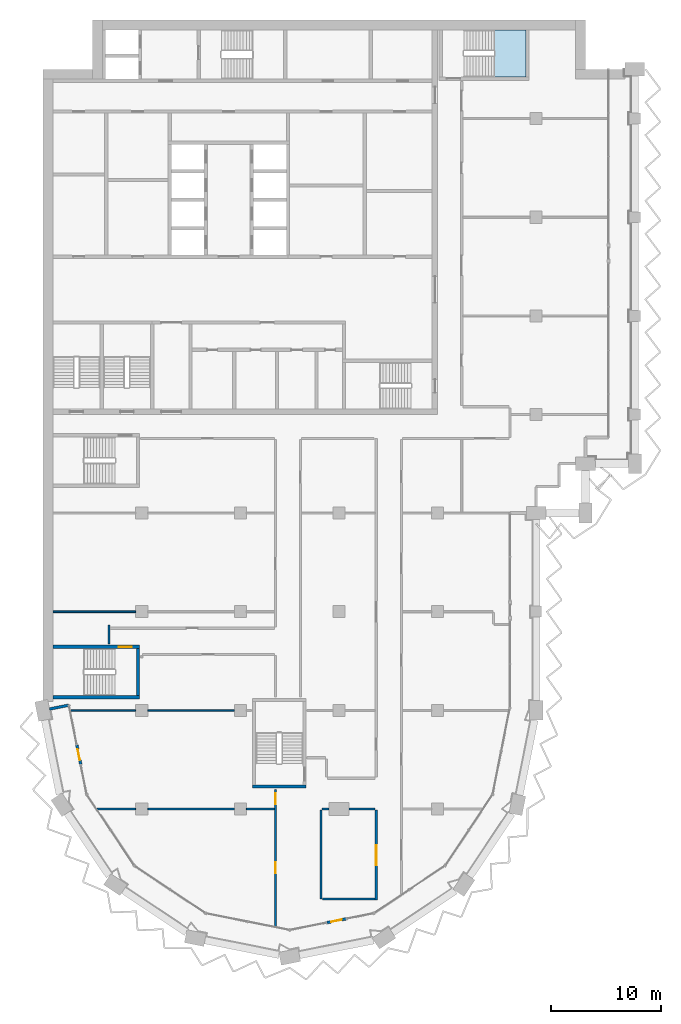
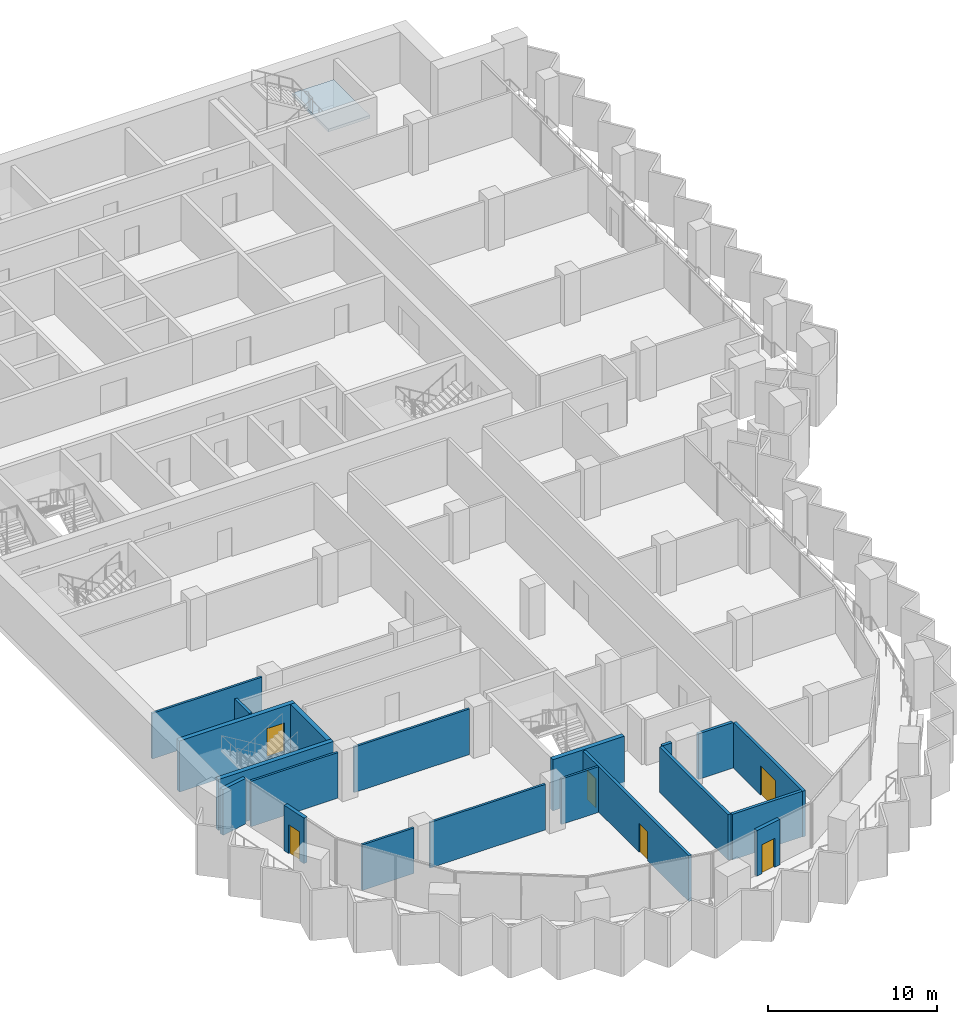
# One storey, part 7 of 17: 20 walls, 6 doors, 1 slab, 6 openings, 1 element without a shape of its own.
"""IFC4 building model written with IfcOpenShell, lengths in metres."""

from ifc_helpers import new_model, si_unit, direction, frame, frame_2d, origin, place, context, subcontext, project, spatial, polyline, rectangle, outline, extrude, material, layer, layer_set, type_object, element, fill, aggregate, save


model = new_model("IFC4")

# Units and contexts
model_context = context("Model", 3, precision=1e-05, world=origin(), true_north=direction((0.0, 1.0)))
body_context = subcontext(model_context, "Body", "Model", "MODEL_VIEW")
ifc_project = project(units=[si_unit("LENGTHUNIT", "METRE"), si_unit("AREAUNIT", "SQUARE_METRE"), si_unit("VOLUMEUNIT", "CUBIC_METRE"), si_unit("PLANEANGLEUNIT", "RADIAN"), si_unit("MASSUNIT", "GRAM", prefix="KILO")], contexts=[model_context])

# Site, building, storey
site_placement = place(None, origin())
site = spatial("IfcSite", under=ifc_project, at=site_placement, CompositionType="ELEMENT")
building_placement = place(site_placement, origin())
building = spatial("IfcBuilding", under=site, at=building_placement, Name="Hunhe Ridgeline Campus", CompositionType="ELEMENT")
storey_placement = place(building_placement, frame((0.0, 0.0, 208.699951171875)))
storey = spatial("IfcBuildingStorey", under=building, at=storey_placement, Name="L53", CompositionType="ELEMENT", Elevation=208.699951171875)

# Stair, slab
ifc_material_1 = material(Name="Concrete C40", Category="concrete")
stair_type = type_object("IfcStairType", Name="Reinforced concrete dog-leg stair 1950 Concrete C40", PredefinedType="HALF_TURN_STAIR", material=ifc_material_1)
stair_placement = place(storey_placement, origin())
stair = element("IfcStair", 1, at=stair_placement, inside=storey, type_object=stair_type, Name="L53 E1", PredefinedType="HALF_TURN_STAIR")
ifc_layer_1 = layer(ifc_material_1, 0.199951171875)
ifc_layer_set_1 = layer_set([ifc_layer_1], Name="Reinforced concrete stair landing 200 Concrete C40")
slab_type = type_object("IfcSlabType", Name="Reinforced concrete stair landing 200 Concrete C40", PredefinedType="LANDING", material=ifc_layer_set_1)
slab_placement = place(storey_placement, frame((0.0, 0.0, 1.650146484375)))
slab = element("IfcSlab", 2, at=slab_placement, type_object=slab_type, Name="ST5 landing 1", PredefinedType="LANDING", context=body_context, shape_type="SweptSolid", body=[
    extrude(outline(polyline([(41.199951171875, 93.800048828125), (44.050048828125, 93.800048828125), (44.050048828125, 98.10009765625), (41.199951171875, 98.10009765625), (41.199951171875, 93.800048828125)])), origin(), (0.0, 0.0, 1.0), 0.199951171875),
])
aggregate(stair, [slab])

# Walls
ifc_material_2 = material(Name="Concrete C30", Category="concrete")
ifc_layer_2 = layer(ifc_material_2, 0.25)
ifc_layer_set_2 = layer_set([ifc_layer_2], Name="Corner return wall 250 Concrete C30")
wall_type_1 = type_object("IfcWallType", Name="Corner return wall 250 Concrete C30", PredefinedType="SOLIDWALL", material=ifc_layer_set_2)
wall_1_placement = place(storey_placement, frame((0.58837890625, 36.117919921875, 0.0), z_axis=(0.0, 0.0, 1.0), x_axis=(0.980840518545, 0.194812415363, 0.0)))
element("IfcWall", 3, at=wall_1_placement, inside=storey, type_object=wall_type_1, Name="Corner return wall 1", PredefinedType="SOLIDWALL", context=body_context, shape_type="SweptSolid", body=[
    extrude(rectangle(XDim=1.80078125, YDim=0.25, at=frame_2d((0.900390625, 0.0))), origin(), (0.0, 0.0, 1.0), 3.300048828125),
])
ifc_material_3 = material(Name="Gypsum board partition")
ifc_layer_3 = layer(ifc_material_3, 0.199951171875)
ifc_layer_set_3 = layer_set([ifc_layer_3], Name="Corridor partition 200 gypsum board on steel studs")
wall_type_2 = type_object("IfcWallType", Name="Corridor partition 200 gypsum board on steel studs", PredefinedType="PARTITIONING", material=ifc_layer_set_3)
wall_2_placement = place(storey_placement, frame((25.492919921875, 18.7900390625, 0.0), z_axis=(0.0, 0.0, 1.0), x_axis=(1.0, 0.0, 0.0)))
element("IfcWall", 4, at=wall_2_placement, inside=storey, type_object=wall_type_2, Name="F-L53-wall-001", PredefinedType="PARTITIONING", context=body_context, shape_type="SweptSolid", body=[
    extrude(rectangle(XDim=4.80712890625, YDim=0.199951171875, at=frame_2d((2.403564453125, 0.0))), origin(), (0.0, 0.0, 1.0), 3.300048828125),
])
wall_3_placement = place(storey_placement, frame((26.10009765625, 27.0, 0.0), z_axis=(0.0, 0.0, 1.0), x_axis=(-1.0, 0.0, 0.0)))
element("IfcWall", 5, at=wall_3_placement, inside=storey, type_object=wall_type_2, Name="F-L53-wall-002", PredefinedType="PARTITIONING", context=body_context, shape_type="SweptSolid", body=[
    extrude(rectangle(XDim=0.650146484375, YDim=0.199951171875, at=frame_2d((0.3251953125, 0.0))), origin(), (0.0, 0.0, 1.0), 3.300048828125),
])
wall_4_placement = place(storey_placement, frame((30.300048828125, 27.0, 0.0), z_axis=(0.0, 0.0, 1.0), x_axis=(-1.0, 0.0, 0.0)))
element("IfcWall", 6, at=wall_4_placement, inside=storey, type_object=wall_type_2, Name="F-L53-wall-003", PredefinedType="PARTITIONING", context=body_context, shape_type="SweptSolid", body=[
    extrude(rectangle(XDim=2.400146484375, YDim=0.199951171875, at=frame_2d((1.2001953125, 0.0))), origin(), (0.0, 0.0, 1.0), 3.300048828125),
])
wall_5_placement = place(storey_placement, frame((6.0, 42.053955078125, 0.0), z_axis=(0.0, 0.0, 1.0), x_axis=(0.0, 1.0, 0.0)))
element("IfcWall", 7, at=wall_5_placement, inside=storey, type_object=wall_type_2, Name="F-L53-wall-045", PredefinedType="PARTITIONING", context=body_context, shape_type="SweptSolid", body=[
    extrude(rectangle(XDim=1.74609375, YDim=0.199951171875, at=frame_2d((0.873046875, 0.0))), origin(), (0.0, 0.0, 1.0), 3.300048828125),
])

# Wall, openings, doors
wall_6_placement = place(storey_placement, frame((21.199951171875, 16.26171875, 0.0), z_axis=(0.0, 0.0, 1.0), x_axis=(0.0, 1.0, 0.0)))
wall_6 = element("IfcWall", 8, at=wall_6_placement, inside=storey, type_object=wall_type_2, Name="F-L53-wall-047", PredefinedType="PARTITIONING", context=body_context, shape_type="SweptSolid", body=[
    extrude(rectangle(XDim=12.5341796875, YDim=0.199951171875, at=frame_2d((6.26708984375, 0.0))), origin(), (0.0, 0.0, 1.0), 3.300048828125),
])
opening_1_placement = place(wall_6_placement, frame((4.889892578125, 0.0, 0.0)))
opening_1 = element("IfcOpeningElement", 9, at=opening_1_placement, cuts=wall_6, Name="Opening RD1-001", PredefinedType="OPENING", context=body_context, shape_type="SweptSolid", body=[
    extrude(rectangle(XDim=1.0, YDim=2.10009765625, at=frame_2d((0.5, 1.050048828125))), frame((0.0, 0.10009765625, 0.0), z_axis=(0.0, -1.0, 0.0), x_axis=(1.0, 0.0, 0.0)), (0.0, 0.0, 1.0), 0.199951171875),
])
opening_2_placement = place(wall_6_placement, frame((11.156982421875, 0.0, 0.0)))
opening_2 = element("IfcOpeningElement", 10, at=opening_2_placement, cuts=wall_6, Name="Opening RD1-004", PredefinedType="OPENING", context=body_context, shape_type="SweptSolid", body=[
    extrude(rectangle(XDim=1.0, YDim=2.10009765625, at=frame_2d((0.5, 1.050048828125))), frame((0.0, 0.10009765625, 0.0), z_axis=(0.0, -1.0, 0.0), x_axis=(1.0, 0.0, 0.0)), (0.0, 0.0, 1.0), 0.199951171875),
])
ifc_material_4 = material(Name="Timber door leaf", Category="wood")
door_type_1 = type_object("IfcDoorType", Name="Single fire door 1000x2100 timber FD60", OperationType="NOTDEFINED", PredefinedType="DOOR", material=ifc_material_4)
door_1_placement = place(opening_1_placement, origin())
door_1 = element("IfcDoor", 11, at=door_1_placement, inside=storey, type_object=door_type_1, Name="F-L53-door-001", OperationType="SINGLE_SWING_RIGHT", OverallHeight=2.10009765625, OverallWidth=1.0, PredefinedType="DOOR", context=body_context, shape_type="SweptSolid", body=[
    extrude(rectangle(XDim=1.0, YDim=2.10009765625, at=frame_2d((0.5, 1.050048828125))), frame((0.0, 0.02490234375, 0.0), z_axis=(0.0, -1.0, 0.0), x_axis=(1.0, 0.0, 0.0)), (0.0, 0.0, 1.0), 0.050048828125),
])
fill(opening_1, door_1)
door_2_placement = place(opening_2_placement, origin())
door_2 = element("IfcDoor", 12, at=door_2_placement, inside=storey, type_object=door_type_1, Name="F-L53-door-004", OperationType="SINGLE_SWING_RIGHT", OverallHeight=2.10009765625, OverallWidth=1.0, PredefinedType="DOOR", context=body_context, shape_type="SweptSolid", body=[
    extrude(rectangle(XDim=1.0, YDim=2.10009765625, at=frame_2d((0.5, 1.050048828125))), frame((0.0, 0.02490234375, 0.0), z_axis=(0.0, -1.0, 0.0), x_axis=(1.0, 0.0, 0.0)), (0.0, 0.0, 1.0), 0.050048828125),
])
fill(opening_2, door_2)

# Wall
wall_7_placement = place(storey_placement, frame((25.35009765625, 26.89990234375, 0.0), z_axis=(0.0, 0.0, 1.0), x_axis=(0.0, -1.0, 0.0)))
element("IfcWall", 13, at=wall_7_placement, inside=storey, type_object=wall_type_2, Name="F-L53-wall-051", PredefinedType="PARTITIONING", context=body_context, shape_type="SweptSolid", body=[
    extrude(rectangle(XDim=8.10986328125, YDim=0.199951171875, at=frame_2d((4.054931640625, 0.0))), origin(), (0.0, 0.0, 1.0), 3.300048828125),
])

# Wall, opening, door
wall_8_placement = place(storey_placement, frame((30.39990234375, 18.670654296875, 0.0), z_axis=(0.0, 0.0, 1.0), x_axis=(0.0, 1.0, 0.0)))
wall_8 = element("IfcWall", 14, at=wall_8_placement, inside=storey, type_object=wall_type_2, Name="F-L53-wall-053", PredefinedType="PARTITIONING", context=body_context, shape_type="SweptSolid", body=[
    extrude(rectangle(XDim=8.229248046875, YDim=0.199951171875, at=frame_2d((4.11474609375, 0.0))), origin(), (0.0, 0.0, 1.0), 3.300048828125),
])
opening_3_placement = place(wall_8_placement, frame((3.214599609375, 0.0, 0.0)))
opening_3 = element("IfcOpeningElement", 15, at=opening_3_placement, cuts=wall_8, Name="Opening RD2-002", PredefinedType="OPENING", context=body_context, shape_type="SweptSolid", body=[
    extrude(rectangle(XDim=1.800048828125, YDim=2.10009765625, at=frame_2d((0.89990234375, 1.050048828125))), frame((0.0, 0.10009765625, 0.0), z_axis=(0.0, -1.0, 0.0), x_axis=(1.0, 0.0, 0.0)), (0.0, 0.0, 1.0), 0.199951171875),
])
door_type_2 = type_object("IfcDoorType", Name="Double fire door 1800x2100 timber FD60", OperationType="DOUBLE_DOOR_SINGLE_SWING", PredefinedType="DOOR", material=ifc_material_4)
door_3_placement = place(opening_3_placement, origin())
door_3 = element("IfcDoor", 16, at=door_3_placement, inside=storey, type_object=door_type_2, Name="F-L53-door-002", OperationType="DOUBLE_DOOR_SINGLE_SWING", OverallHeight=2.10009765625, OverallWidth=1.800048828125, PredefinedType="DOOR", context=body_context, shape_type="SweptSolid", body=[
    extrude(rectangle(XDim=1.800048828125, YDim=2.10009765625, at=frame_2d((0.89990234375, 1.050048828125))), frame((0.0, 0.02490234375, 0.0), z_axis=(0.0, -1.0, 0.0), x_axis=(1.0, 0.0, 0.0)), (0.0, 0.0, 1.0), 0.050048828125),
])
fill(opening_3, door_3)

ifc_layer_4 = layer(ifc_material_2, 0.25)
ifc_layer_set_4 = layer_set([ifc_layer_4], Name="Loggia door pier wall 250 Concrete C30")
wall_type_3 = type_object("IfcWallType", Name="Loggia door pier wall 250 Concrete C30", PredefinedType="SOLIDWALL", material=ifc_layer_set_4)
wall_9_placement = place(storey_placement, frame((3.076904296875, 32.8388671875, 0.0), z_axis=(0.0, 0.0, 1.0), x_axis=(0.195046569833, -0.980793982239, 0.0)))
wall_9 = element("IfcWall", 17, at=wall_9_placement, inside=storey, type_object=wall_type_3, Name="Loggia door pier 1", PredefinedType="SOLIDWALL", context=body_context, shape_type="SweptSolid", body=[
    extrude(rectangle(XDim=1.800048828125, YDim=0.25, at=frame_2d((0.89990234375, 0.0))), origin(), (0.0, 0.0, 1.0), 3.300048828125),
])
opening_4_placement = place(wall_9_placement, frame((0.39990234375, 0.0, 0.0)))
opening_4 = element("IfcOpeningElement", 18, at=opening_4_placement, cuts=wall_9, Name="Opening BD401", PredefinedType="OPENING", context=body_context, shape_type="SweptSolid", body=[
    extrude(rectangle(XDim=1.0, YDim=2.10009765625, at=frame_2d((0.5, 1.050048828125))), frame((0.0, 0.125, 0.0), z_axis=(0.0, -1.0, 0.0), x_axis=(1.0, 0.0, 0.0)), (0.0, 0.0, 1.0), 0.25),
])
ifc_material_5 = material(Name="Aluminium 6063", Category="aluminium")
door_type_3 = type_object("IfcDoorType", Name="Loggia glazed door 1000x2100", OperationType="NOTDEFINED", PredefinedType="DOOR", material=ifc_material_5)
door_4_placement = place(opening_4_placement, frame((1.0, 0.0, 0.0), z_axis=(0.0, 0.0, 1.0), x_axis=(-1.0, 0.0, 0.0)))
door_4 = element("IfcDoor", 19, at=door_4_placement, inside=storey, type_object=door_type_3, Name="Loggia door BD401", OperationType="SINGLE_SWING_RIGHT", OverallHeight=2.10009765625, OverallWidth=1.0, PredefinedType="DOOR", context=body_context, shape_type="SweptSolid", body=[
    extrude(rectangle(XDim=1.0, YDim=2.10009765625, at=frame_2d((0.5, 1.050048828125))), frame((0.0, 0.02490234375, 0.0), z_axis=(0.0, -1.0, 0.0), x_axis=(1.0, 0.0, 0.0)), (0.0, 0.0, 1.0), 0.050048828125),
])
fill(opening_4, door_4)

wall_10_placement = place(storey_placement, frame((25.8955078125, 16.62353515625, 0.0), z_axis=(0.0, 0.0, 1.0), x_axis=(0.980793982239, 0.195046569833, 0.0)))
wall_10 = element("IfcWall", 20, at=wall_10_placement, inside=storey, type_object=wall_type_3, Name="Loggia door pier 2", PredefinedType="SOLIDWALL", context=body_context, shape_type="SweptSolid", body=[
    extrude(rectangle(XDim=1.800048828125, YDim=0.25, at=frame_2d((0.89990234375, 0.0))), origin(), (0.0, 0.0, 1.0), 3.300048828125),
])
opening_5_placement = place(wall_10_placement, frame((0.39990234375, 0.0, 0.0)))
opening_5 = element("IfcOpeningElement", 21, at=opening_5_placement, cuts=wall_10, Name="Opening BD403", PredefinedType="OPENING", context=body_context, shape_type="SweptSolid", body=[
    extrude(rectangle(XDim=1.0, YDim=2.10009765625, at=frame_2d((0.5, 1.050048828125))), frame((0.0, 0.125, 0.0), z_axis=(0.0, -1.0, 0.0), x_axis=(1.0, 0.0, 0.0)), (0.0, 0.0, 1.0), 0.25),
])
door_5_placement = place(opening_5_placement, frame((1.0, 0.0, 0.0), z_axis=(0.0, 0.0, 1.0), x_axis=(-1.0, 0.0, 0.0)))
door_5 = element("IfcDoor", 22, at=door_5_placement, inside=storey, type_object=door_type_3, Name="Loggia door BD403", OperationType="SINGLE_SWING_RIGHT", OverallHeight=2.10009765625, OverallWidth=1.0, PredefinedType="DOOR", context=body_context, shape_type="SweptSolid", body=[
    extrude(rectangle(XDim=1.0, YDim=2.10009765625, at=frame_2d((0.5, 1.050048828125))), frame((0.0, 0.02490234375, 0.0), z_axis=(0.0, -1.0, 0.0), x_axis=(1.0, 0.0, 0.0)), (0.0, 0.0, 1.0), 0.050048828125),
])
fill(opening_5, door_5)

# Walls
ifc_layer_5 = layer(ifc_material_3, 0.14990234375)
ifc_layer_set_5 = layer_set([ifc_layer_5], Name="Room partition 150 gypsum board on steel studs")
wall_type_4 = type_object("IfcWallType", Name="Room partition 150 gypsum board on steel studs", PredefinedType="PARTITIONING", material=ifc_layer_set_5)
wall_11_placement = place(storey_placement, frame((4.925537109375, 27.0, 0.0), z_axis=(0.0, 0.0, 1.0), x_axis=(1.0, 0.0, 0.0)))
element("IfcWall", 23, at=wall_11_placement, inside=storey, type_object=wall_type_4, Name="F-L53-wall-004", PredefinedType="PARTITIONING", context=body_context, shape_type="SweptSolid", body=[
    extrude(rectangle(XDim=3.5244140625, YDim=0.14990234375, at=frame_2d((1.76220703125, 0.0))), origin(), (0.0, 0.0, 1.0), 3.300048828125),
])
wall_12_placement = place(storey_placement, frame((9.550048828125, 27.0, 0.0), z_axis=(0.0, 0.0, 1.0), x_axis=(1.0, 0.0, 0.0)))
element("IfcWall", 24, at=wall_12_placement, inside=storey, type_object=wall_type_4, Name="F-L53-wall-005", PredefinedType="PARTITIONING", context=body_context, shape_type="SweptSolid", body=[
    extrude(rectangle(XDim=7.89990234375, YDim=0.14990234375, at=frame_2d((3.949951171875, 0.0))), origin(), (0.0, 0.0, 1.0), 3.300048828125),
])
wall_13_placement = place(storey_placement, frame((18.550048828125, 27.0, 0.0), z_axis=(0.0, 0.0, 1.0), x_axis=(1.0, 0.0, 0.0)))
element("IfcWall", 25, at=wall_13_placement, inside=storey, type_object=wall_type_4, Name="F-L53-wall-006", PredefinedType="PARTITIONING", context=body_context, shape_type="SweptSolid", body=[
    extrude(rectangle(XDim=2.550048828125, YDim=0.14990234375, at=frame_2d((1.27490234375, 0.0))), origin(), (0.0, 0.0, 1.0), 3.300048828125),
])
wall_14_placement = place(storey_placement, frame((2.503173828125, 36.0, 0.0), z_axis=(0.0, 0.0, 1.0), x_axis=(1.0, 0.0, 0.0)))
element("IfcWall", 26, at=wall_14_placement, inside=storey, type_object=wall_type_4, Name="F-L53-wall-011", PredefinedType="PARTITIONING", context=body_context, shape_type="SweptSolid", body=[
    extrude(rectangle(XDim=5.94677734375, YDim=0.14990234375, at=frame_2d((2.973388671875, 0.0))), origin(), (0.0, 0.0, 1.0), 3.300048828125),
])
wall_15_placement = place(storey_placement, frame((9.550048828125, 36.0, 0.0), z_axis=(0.0, 0.0, 1.0), x_axis=(1.0, 0.0, 0.0)))
element("IfcWall", 27, at=wall_15_placement, inside=storey, type_object=wall_type_4, Name="F-L53-wall-012", PredefinedType="PARTITIONING", context=body_context, shape_type="SweptSolid", body=[
    extrude(rectangle(XDim=7.89990234375, YDim=0.14990234375, at=frame_2d((3.949951171875, 0.0))), origin(), (0.0, 0.0, 1.0), 3.300048828125),
])
wall_16_placement = place(storey_placement, frame((0.919921875, 45.0, 0.0), z_axis=(0.0, 0.0, 1.0), x_axis=(1.0, 0.0, 0.0)))
element("IfcWall", 28, at=wall_16_placement, inside=storey, type_object=wall_type_4, Name="F-L53-wall-021", PredefinedType="PARTITIONING", context=body_context, shape_type="SweptSolid", body=[
    extrude(rectangle(XDim=7.530029296875, YDim=0.14990234375, at=frame_2d((3.76513671875, 0.0))), origin(), (0.0, 0.0, 1.0), 3.300048828125),
])
ifc_material_6 = material(Name="Concrete C60", Category="concrete")
ifc_layer_6 = layer(ifc_material_6, 0.300048828125)
ifc_layer_set_6 = layer_set([ifc_layer_6], Name="Stair wall 300 reinforced concrete C60")
wall_type_5 = type_object("IfcWallType", Name="Stair wall 300 reinforced concrete C60", PredefinedType="SOLIDWALL", material=ifc_layer_set_6)
wall_17_placement = place(storey_placement, frame((19.10009765625, 29.050048828125, -0.39990234375), z_axis=(0.0, 0.0, 1.0), x_axis=(1.0, 0.0, 0.0)))
element("IfcWall", 29, at=wall_17_placement, inside=storey, type_object=wall_type_5, Name="L53 core wall 1", PredefinedType="SOLIDWALL", context=body_context, shape_type="SweptSolid", body=[
    extrude(rectangle(XDim=4.89990234375, YDim=0.300048828125, at=frame_2d((2.449951171875, 0.0))), origin(), (0.0, 0.0, 1.0), 3.699951171875),
])
wall_18_placement = place(storey_placement, frame((0.89990234375, 37.199951171875, -0.39990234375), z_axis=(0.0, 0.0, 1.0), x_axis=(1.0, 0.0, 0.0)))
element("IfcWall", 30, at=wall_18_placement, inside=storey, type_object=wall_type_5, Name="L53 core wall 3", PredefinedType="SOLIDWALL", context=body_context, shape_type="SweptSolid", body=[
    extrude(rectangle(XDim=7.900146484375, YDim=0.300048828125, at=frame_2d((3.9501953125, 0.0))), origin(), (0.0, 0.0, 1.0), 3.699951171875),
])

# Wall, opening, door
wall_19_placement = place(storey_placement, frame((0.89990234375, 41.800048828125, -0.39990234375), z_axis=(0.0, 0.0, 1.0), x_axis=(1.0, 0.0, 0.0)))
wall_19 = element("IfcWall", 31, at=wall_19_placement, inside=storey, type_object=wall_type_5, Name="L53 core wall 4", PredefinedType="SOLIDWALL", context=body_context, shape_type="SweptSolid", body=[
    extrude(rectangle(XDim=7.900146484375, YDim=0.300048828125, at=frame_2d((3.9501953125, 0.0))), origin(), (0.0, 0.0, 1.0), 3.699951171875),
])
opening_6_placement = place(wall_19_placement, frame((6.0, 0.0, 0.39990234375)))
opening_6 = element("IfcOpeningElement", 32, at=opening_6_placement, cuts=wall_19, Name="Opening CD21", PredefinedType="OPENING", context=body_context, shape_type="SweptSolid", body=[
    extrude(rectangle(XDim=1.199951171875, YDim=2.10009765625, at=frame_2d((0.60009765625, 1.050048828125))), frame((0.0, 0.14990234375, 0.0), z_axis=(0.0, -1.0, 0.0), x_axis=(1.0, 0.0, 0.0)), (0.0, 0.0, 1.0), 0.300048828125),
])
ifc_material_7 = material(Name="Hollow metal fire door leaf")
door_type_4 = type_object("IfcDoorType", Name="Stair door 1200x2100 FD60", OperationType="SINGLE_SWING_LEFT", PredefinedType="DOOR", material=ifc_material_7)
door_6_placement = place(opening_6_placement, origin())
door_6 = element("IfcDoor", 33, at=door_6_placement, inside=storey, type_object=door_type_4, Name="L53 door W1", OperationType="SINGLE_SWING_LEFT", OverallHeight=2.10009765625, OverallWidth=1.199951171875, PredefinedType="DOOR", context=body_context, shape_type="SweptSolid", body=[
    extrude(rectangle(XDim=1.199951171875, YDim=2.10009765625, at=frame_2d((0.60009765625, 1.050048828125))), frame((0.0, 0.02490234375, 0.0), z_axis=(0.0, -1.0, 0.0), x_axis=(1.0, 0.0, 0.0)), (0.0, 0.0, 1.0), 0.050048828125),
])
fill(opening_6, door_6)

# Wall
wall_20_placement = place(storey_placement, frame((8.64990234375, 37.35009765625, -0.39990234375), z_axis=(0.0, 0.0, 1.0), x_axis=(0.0, 1.0, 0.0)))
element("IfcWall", 34, at=wall_20_placement, inside=storey, type_object=wall_type_5, Name="L53 core wall 32", PredefinedType="SOLIDWALL", context=body_context, shape_type="SweptSolid", body=[
    extrude(rectangle(XDim=4.2998046875, YDim=0.300048828125, at=frame_2d((2.14990234375, 0.0))), origin(), (0.0, 0.0, 1.0), 3.699951171875),
])

save(model, "model.ifc")
